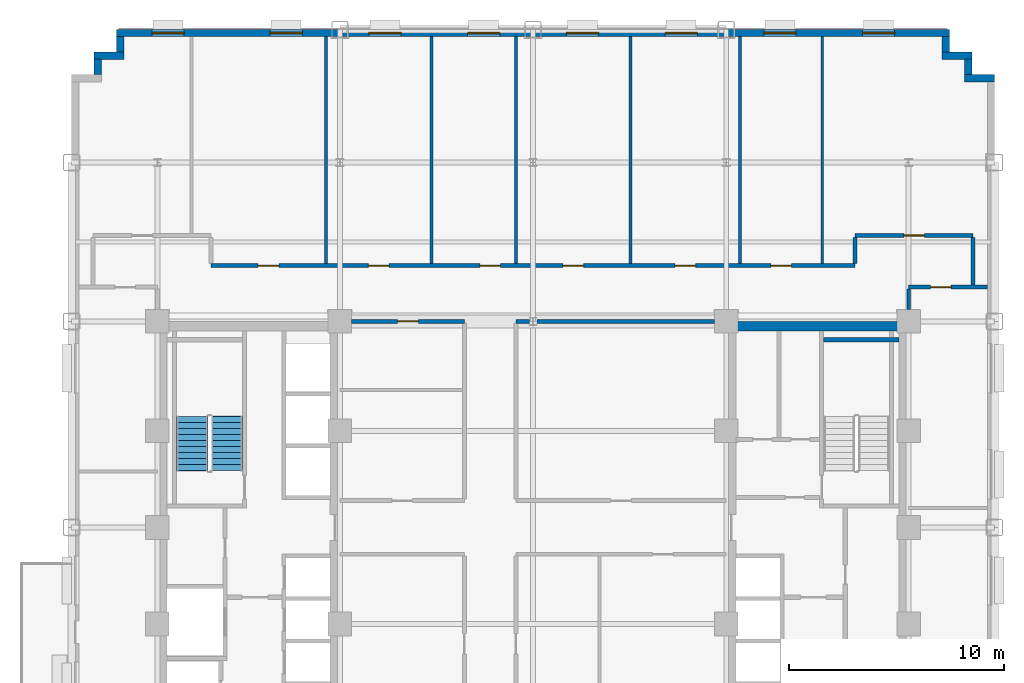
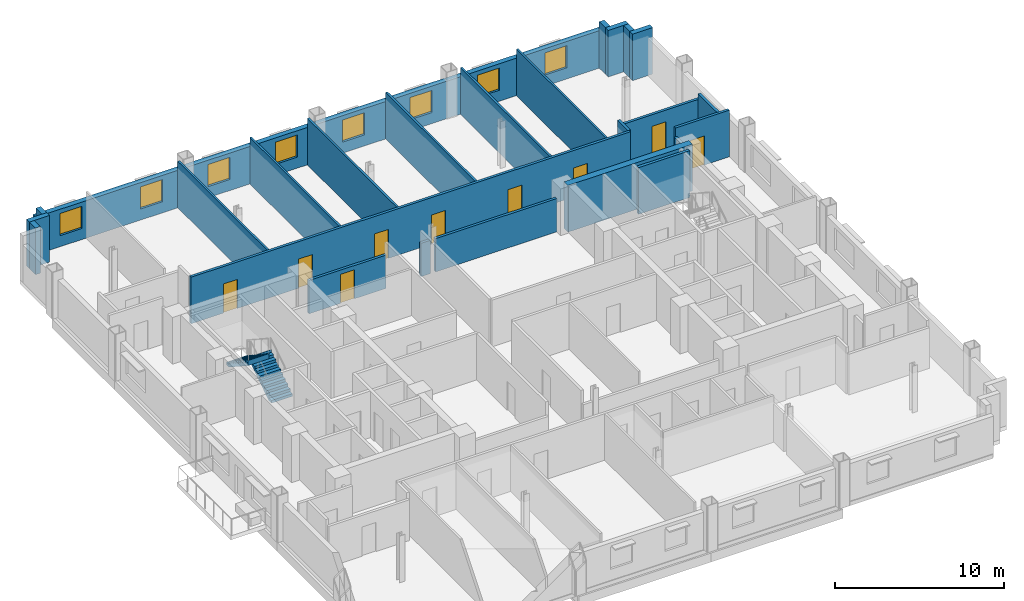
# One storey, part 9 of 14: 25 walls, 9 doors, 8 windows, 2 stair flights, 17 openings, 1 element without a shape of its own.
"""IFC4 building model written with IfcOpenShell, lengths in metres."""

from ifc_helpers import new_model, si_unit, direction, frame, frame_2d, origin, place, context, subcontext, project, spatial, polyline, rectangle, outline, extrude, source, transform, mapped, material, layer, layer_set, type_object, type_shapes, element, fill, aggregate, save


model = new_model("IFC4")

# Units and contexts
model_context = context("Model", 3, precision=1e-05, world=origin(), true_north=direction((0.0, 1.0)))
body_context = subcontext(model_context, "Body", "Model", "MODEL_VIEW")
ifc_project = project(units=[si_unit("LENGTHUNIT", "METRE"), si_unit("AREAUNIT", "SQUARE_METRE"), si_unit("VOLUMEUNIT", "CUBIC_METRE"), si_unit("PLANEANGLEUNIT", "RADIAN"), si_unit("MASSUNIT", "GRAM", prefix="KILO")], contexts=[model_context])

# Site, building, storey
site_placement = place(None, origin())
site = spatial("IfcSite", under=ifc_project, at=site_placement, CompositionType="ELEMENT")
building_placement = place(site_placement, origin())
building = spatial("IfcBuilding", under=site, at=building_placement, Name="Nuvemarco Arch Tower", CompositionType="ELEMENT")
storey_placement = place(building_placement, frame((0.0, 0.0, 67.75)))
storey = spatial("IfcBuildingStorey", under=building, at=storey_placement, Name="L17", CompositionType="ELEMENT", Elevation=67.75)

# Walls
ifc_material_1 = material(Name="Precast concrete C45/55", Category="concrete")
ifc_layer_1 = layer(ifc_material_1, 0.340087890625, Name="EW-LOW-340")
ifc_layer_set_1 = layer_set([ifc_layer_1], Name="Precast concrete C45/55")
wall_type_1 = type_object("IfcWallType", Name="EW-LOW-340", PredefinedType="STANDARD", material=ifc_layer_set_1)
wall_1_placement = place(storey_placement, frame((20.110107421875, 20.929931640625, 0.0), z_axis=(0.0, 0.0, 1.0), x_axis=(1.0, 0.0, 0.0)))
element("IfcWall", 1, at=wall_1_placement, inside=storey, type_object=wall_type_1, Name="L17 exterior precast facade wall 7", PredefinedType="STANDARD", context=body_context, shape_type="SweptSolid", body=[
    extrude(rectangle(XDim=1.389892578125, YDim=0.340087890625, at=frame_2d((0.69482421875, 0.0))), origin(), (0.0, 0.0, 1.0), 3.360107421875),
])
wall_2_placement = place(storey_placement, frame((20.280029296875, 21.095947265625, 0.0), z_axis=(0.0, 0.0, 1.0), x_axis=(0.0, 1.0, 0.0)))
element("IfcWall", 2, at=wall_2_placement, inside=storey, type_object=wall_type_1, Name="L17 exterior precast facade wall 8", PredefinedType="STANDARD", context=body_context, shape_type="SweptSolid", body=[
    extrude(rectangle(XDim=0.718017578125, YDim=0.340087890625, at=frame_2d((0.35888671875, 0.0))), origin(), (0.0, 0.0, 1.0), 3.360107421875),
])
wall_3_placement = place(storey_placement, frame((19.06005859375, 21.97998046875, 0.0), z_axis=(0.0, 0.0, 1.0), x_axis=(1.0, 0.0, 0.0)))
element("IfcWall", 3, at=wall_3_placement, inside=storey, type_object=wall_type_1, Name="L17 exterior precast facade wall 9", PredefinedType="STANDARD", context=body_context, shape_type="SweptSolid", body=[
    extrude(rectangle(XDim=1.389892578125, YDim=0.340087890625, at=frame_2d((0.69482421875, 0.0))), origin(), (0.0, 0.0, 1.0), 3.360107421875),
])
wall_4_placement = place(storey_placement, frame((19.22998046875, 22.14599609375, 0.0), z_axis=(0.0, 0.0, 1.0), x_axis=(0.0, 1.0, 0.0)))
element("IfcWall", 4, at=wall_4_placement, inside=storey, type_object=wall_type_1, Name="L17 exterior precast facade wall 10", PredefinedType="STANDARD", context=body_context, shape_type="SweptSolid", body=[
    extrude(rectangle(XDim=0.718017578125, YDim=0.340087890625, at=frame_2d((0.35888671875, 0.0))), origin(), (0.0, 0.0, 1.0), 3.360107421875),
])

# Wall, openings, windows
wall_5_placement = place(storey_placement, frame((-19.39990234375, 23.030029296875, 0.0), z_axis=(0.0, 0.0, 1.0), x_axis=(1.0, 0.0, 0.0)))
wall_5 = element("IfcWall", 5, at=wall_5_placement, inside=storey, type_object=wall_type_1, Name="L17 exterior precast facade wall 11", PredefinedType="STANDARD", context=body_context, shape_type="SweptSolid", body=[
    extrude(rectangle(XDim=38.7998046875, YDim=0.340087890625, at=frame_2d((19.39990234375, 0.0))), origin(), (0.0, 0.0, 1.0), 2.705078125),
])
opening_1_placement = place(wall_5_placement, frame((1.64990234375, 0.0, 0.800048828125)))
opening_1 = element("IfcOpeningElement", 6, at=opening_1_placement, cuts=wall_5, Name="Opening WN-11", PredefinedType="OPENING", context=body_context, shape_type="SweptSolid", body=[
    extrude(rectangle(XDim=1.5, YDim=1.60009765625, at=frame_2d((0.75, 0.800048828125))), frame((0.0, 0.179931640625, 0.0), z_axis=(0.0, -1.0, 0.0), x_axis=(1.0, 0.0, 0.0)), (0.0, 0.0, 1.0), 0.360107421875),
])
opening_2_placement = place(wall_5_placement, frame((7.14990234375, 0.0, 0.800048828125)))
opening_2 = element("IfcOpeningElement", 7, at=opening_2_placement, cuts=wall_5, Name="Opening WN-11", PredefinedType="OPENING", context=body_context, shape_type="SweptSolid", body=[
    extrude(rectangle(XDim=1.5, YDim=1.60009765625, at=frame_2d((0.75, 0.800048828125))), frame((0.0, 0.179931640625, 0.0), z_axis=(0.0, -1.0, 0.0), x_axis=(1.0, 0.0, 0.0)), (0.0, 0.0, 1.0), 0.360107421875),
])
opening_3_placement = place(wall_5_placement, frame((11.75, 0.0, 0.800048828125)))
opening_3 = element("IfcOpeningElement", 8, at=opening_3_placement, cuts=wall_5, Name="Opening WN-11", PredefinedType="OPENING", context=body_context, shape_type="SweptSolid", body=[
    extrude(rectangle(XDim=1.5, YDim=1.60009765625, at=frame_2d((0.75, 0.800048828125))), frame((0.0, 0.179931640625, 0.0), z_axis=(0.0, -1.0, 0.0), x_axis=(1.0, 0.0, 0.0)), (0.0, 0.0, 1.0), 0.360107421875),
])
opening_4_placement = place(wall_5_placement, frame((16.35009765625, 0.0, 0.800048828125)))
opening_4 = element("IfcOpeningElement", 9, at=opening_4_placement, cuts=wall_5, Name="Opening WN-11", PredefinedType="OPENING", context=body_context, shape_type="SweptSolid", body=[
    extrude(rectangle(XDim=1.5, YDim=1.60009765625, at=frame_2d((0.75, 0.800048828125))), frame((0.0, 0.179931640625, 0.0), z_axis=(0.0, -1.0, 0.0), x_axis=(1.0, 0.0, 0.0)), (0.0, 0.0, 1.0), 0.360107421875),
])
opening_5_placement = place(wall_5_placement, frame((20.949951171875, 0.0, 0.800048828125)))
opening_5 = element("IfcOpeningElement", 10, at=opening_5_placement, cuts=wall_5, Name="Opening WN-11", PredefinedType="OPENING", context=body_context, shape_type="SweptSolid", body=[
    extrude(rectangle(XDim=1.5, YDim=1.60009765625, at=frame_2d((0.75, 0.800048828125))), frame((0.0, 0.179931640625, 0.0), z_axis=(0.0, -1.0, 0.0), x_axis=(1.0, 0.0, 0.0)), (0.0, 0.0, 1.0), 0.360107421875),
])
opening_6_placement = place(wall_5_placement, frame((25.550048828125, 0.0, 0.800048828125)))
opening_6 = element("IfcOpeningElement", 11, at=opening_6_placement, cuts=wall_5, Name="Opening WN-11", PredefinedType="OPENING", context=body_context, shape_type="SweptSolid", body=[
    extrude(rectangle(XDim=1.5, YDim=1.60009765625, at=frame_2d((0.75, 0.800048828125))), frame((0.0, 0.179931640625, 0.0), z_axis=(0.0, -1.0, 0.0), x_axis=(1.0, 0.0, 0.0)), (0.0, 0.0, 1.0), 0.360107421875),
])
opening_7_placement = place(wall_5_placement, frame((30.14990234375, 0.0, 0.800048828125)))
opening_7 = element("IfcOpeningElement", 12, at=opening_7_placement, cuts=wall_5, Name="Opening WN-11", PredefinedType="OPENING", context=body_context, shape_type="SweptSolid", body=[
    extrude(rectangle(XDim=1.5, YDim=1.60009765625, at=frame_2d((0.75, 0.800048828125))), frame((0.0, 0.179931640625, 0.0), z_axis=(0.0, -1.0, 0.0), x_axis=(1.0, 0.0, 0.0)), (0.0, 0.0, 1.0), 0.360107421875),
])
opening_8_placement = place(wall_5_placement, frame((34.75, 0.0, 0.800048828125)))
opening_8 = element("IfcOpeningElement", 13, at=opening_8_placement, cuts=wall_5, Name="Opening WN-11", PredefinedType="OPENING", context=body_context, shape_type="SweptSolid", body=[
    extrude(rectangle(XDim=1.5, YDim=1.60009765625, at=frame_2d((0.75, 0.800048828125))), frame((0.0, 0.179931640625, 0.0), z_axis=(0.0, -1.0, 0.0), x_axis=(1.0, 0.0, 0.0)), (0.0, 0.0, 1.0), 0.360107421875),
])
ifc_material_2 = material(Name="Insulated solar-control glass", Category="glass")
window_type = type_object("IfcWindowType", Name="WN-STEP-1500x1850", PartitioningType="SINGLE_PANEL", PredefinedType="WINDOW", material=ifc_material_2)
shared_shape_1 = source(origin(), body_context, "Body", "SweptSolid", [
    extrude(rectangle(XDim=1.5, YDim=1.60009765625, at=frame_2d((0.75, 0.800048828125))), frame((0.0, 0.030029296875, 0.0), z_axis=(0.0, -1.0, 0.0), x_axis=(1.0, 0.0, 0.0)), (0.0, 0.0, 1.0), 0.06005859375),
])
type_shapes(window_type, [shared_shape_1])
window_1_placement = place(opening_1_placement, origin())
window_1 = element("IfcWindow", 14, at=window_1_placement, inside=storey, type_object=window_type, Name="L17 punched facade window 1", OverallHeight=1.60009765625, OverallWidth=1.5, PartitioningType="SINGLE_PANEL", PredefinedType="WINDOW", context=body_context, shape_type="MappedRepresentation", body=[
    mapped(shared_shape_1, transform((0.0, 0.0, 0.0), scale=1.0)),
])
fill(opening_1, window_1)
window_2_placement = place(opening_2_placement, origin())
window_2 = element("IfcWindow", 15, at=window_2_placement, inside=storey, type_object=window_type, Name="L17 punched facade window 2", OverallHeight=1.60009765625, OverallWidth=1.5, PartitioningType="SINGLE_PANEL", PredefinedType="WINDOW", context=body_context, shape_type="MappedRepresentation", body=[
    mapped(shared_shape_1, transform((0.0, 0.0, 0.0), scale=1.0)),
])
fill(opening_2, window_2)
window_3_placement = place(opening_3_placement, origin())
window_3 = element("IfcWindow", 16, at=window_3_placement, inside=storey, type_object=window_type, Name="L17 punched facade window 3", OverallHeight=1.60009765625, OverallWidth=1.5, PartitioningType="SINGLE_PANEL", PredefinedType="WINDOW", context=body_context, shape_type="MappedRepresentation", body=[
    mapped(shared_shape_1, transform((0.0, 0.0, 0.0), scale=1.0)),
])
fill(opening_3, window_3)
window_4_placement = place(opening_4_placement, origin())
window_4 = element("IfcWindow", 17, at=window_4_placement, inside=storey, type_object=window_type, Name="L17 punched facade window 4", OverallHeight=1.60009765625, OverallWidth=1.5, PartitioningType="SINGLE_PANEL", PredefinedType="WINDOW", context=body_context, shape_type="MappedRepresentation", body=[
    mapped(shared_shape_1, transform((0.0, 0.0, 0.0), scale=1.0)),
])
fill(opening_4, window_4)
window_5_placement = place(opening_5_placement, origin())
window_5 = element("IfcWindow", 18, at=window_5_placement, inside=storey, type_object=window_type, Name="L17 punched facade window 5", OverallHeight=1.60009765625, OverallWidth=1.5, PartitioningType="SINGLE_PANEL", PredefinedType="WINDOW", context=body_context, shape_type="MappedRepresentation", body=[
    mapped(shared_shape_1, transform((0.0, 0.0, 0.0), scale=1.0)),
])
fill(opening_5, window_5)
window_6_placement = place(opening_6_placement, origin())
window_6 = element("IfcWindow", 19, at=window_6_placement, inside=storey, type_object=window_type, Name="L17 punched facade window 6", OverallHeight=1.60009765625, OverallWidth=1.5, PartitioningType="SINGLE_PANEL", PredefinedType="WINDOW", context=body_context, shape_type="MappedRepresentation", body=[
    mapped(shared_shape_1, transform((0.0, 0.0, 0.0), scale=1.0)),
])
fill(opening_6, window_6)
window_7_placement = place(opening_7_placement, origin())
window_7 = element("IfcWindow", 20, at=window_7_placement, inside=storey, type_object=window_type, Name="L17 punched facade window 7", OverallHeight=1.60009765625, OverallWidth=1.5, PartitioningType="SINGLE_PANEL", PredefinedType="WINDOW", context=body_context, shape_type="MappedRepresentation", body=[
    mapped(shared_shape_1, transform((0.0, 0.0, 0.0), scale=1.0)),
])
fill(opening_7, window_7)
window_8_placement = place(opening_8_placement, origin())
window_8 = element("IfcWindow", 21, at=window_8_placement, inside=storey, type_object=window_type, Name="L17 punched facade window 8", OverallHeight=1.60009765625, OverallWidth=1.5, PartitioningType="SINGLE_PANEL", PredefinedType="WINDOW", context=body_context, shape_type="MappedRepresentation", body=[
    mapped(shared_shape_1, transform((0.0, 0.0, 0.0), scale=1.0)),
])
fill(opening_8, window_8)

# Walls
wall_6_placement = place(storey_placement, frame((-19.22998046875, 22.14599609375, 0.0), z_axis=(0.0, 0.0, 1.0), x_axis=(0.0, 1.0, 0.0)))
element("IfcWall", 22, at=wall_6_placement, inside=storey, type_object=wall_type_1, Name="L17 exterior precast facade wall 12", PredefinedType="STANDARD", context=body_context, shape_type="SweptSolid", body=[
    extrude(rectangle(XDim=0.718017578125, YDim=0.340087890625, at=frame_2d((0.35888671875, 0.0))), origin(), (0.0, 0.0, 1.0), 3.360107421875),
])
wall_7_placement = place(storey_placement, frame((-20.449951171875, 21.97998046875, 0.0), z_axis=(0.0, 0.0, 1.0), x_axis=(1.0, 0.0, 0.0)))
element("IfcWall", 23, at=wall_7_placement, inside=storey, type_object=wall_type_1, Name="L17 exterior precast facade wall 13", PredefinedType="STANDARD", context=body_context, shape_type="SweptSolid", body=[
    extrude(rectangle(XDim=1.389892578125, YDim=0.340087890625, at=frame_2d((0.69482421875, 0.0))), origin(), (0.0, 0.0, 1.0), 3.360107421875),
])
wall_8_placement = place(storey_placement, frame((-20.280029296875, 21.095947265625, 0.0), z_axis=(0.0, 0.0, 1.0), x_axis=(0.0, 1.0, 0.0)))
element("IfcWall", 24, at=wall_8_placement, inside=storey, type_object=wall_type_1, Name="L17 exterior precast facade wall 14", PredefinedType="STANDARD", context=body_context, shape_type="SweptSolid", body=[
    extrude(rectangle(XDim=0.718017578125, YDim=0.340087890625, at=frame_2d((0.35888671875, 0.0))), origin(), (0.0, 0.0, 1.0), 3.360107421875),
])
ifc_material_3 = material(Name="Concrete C60/75", Category="concrete")
ifc_layer_2 = layer(ifc_material_3, 0.449951171875, Name="WL-CORE-450")
ifc_layer_set_2 = layer_set([ifc_layer_2], Name="Concrete C60/75")
wall_type_2 = type_object("IfcWallType", Name="WL-CORE-450", PredefinedType="SHEAR", material=ifc_layer_set_2)
wall_9_placement = place(storey_placement, frame((9.0, 9.375, 0.0), z_axis=(0.0, 0.0, 1.0), x_axis=(1.0, 0.0, 0.0)))
element("IfcWall", 25, at=wall_9_placement, inside=storey, type_object=wall_type_2, Name="L17 E-core shear wall N", PredefinedType="SHEAR", context=body_context, shape_type="SweptSolid", body=[
    extrude(rectangle(XDim=8.5, YDim=0.449951171875, at=frame_2d((4.25, 0.0))), origin(), (0.0, 0.0, 1.0), 3.3701171875),
])

# Wall, opening, door
ifc_material_4 = material(Name="Fire-rated gypsum drywall partition")
ifc_layer_3 = layer(ifc_material_4, 0.179931640625, Name="WL-CORR-180")
ifc_layer_set_3 = layer_set([ifc_layer_3], Name="Fire-rated gypsum drywall partition")
wall_type_3 = type_object("IfcWallType", Name="WL-CORR-180", PredefinedType="PARTITIONING", material=ifc_layer_set_3)
wall_10_placement = place(storey_placement, frame((-8.4541015625, 9.60009765625, 0.0), z_axis=(0.0, 0.0, 1.0), x_axis=(1.0, 0.0, 0.0)))
wall_10 = element("IfcWall", 26, at=wall_10_placement, inside=storey, type_object=wall_type_3, Name="L17 interior wall IW-L17-018", PredefinedType="PARTITIONING", context=body_context, shape_type="SweptSolid", body=[
    extrude(rectangle(XDim=5.254150390625, YDim=0.179931640625, at=frame_2d((2.626953125, 0.0))), origin(), (0.0, 0.0, 1.0), 2.405029296875),
])
opening_9_placement = place(wall_10_placement, frame((2.14697265625, 0.0, 0.0)))
opening_9 = element("IfcOpeningElement", 27, at=opening_9_placement, cuts=wall_10, Name="Opening FD-5", PredefinedType="OPENING", context=body_context, shape_type="SweptSolid", body=[
    extrude(rectangle(XDim=0.9599609375, YDim=2.10009765625, at=frame_2d((0.47998046875, 1.050048828125))), frame((0.0, 0.099853515625, 0.0), z_axis=(0.0, -1.0, 0.0), x_axis=(1.0, 0.0, 0.0)), (0.0, 0.0, 1.0), 0.199951171875),
])
ifc_material_5 = material(Name="Timber fire door", Category="wood")
door_type = type_object("IfcDoorType", Name="DR-CORR-FD", OperationType="NOTDEFINED", PredefinedType="DOOR", material=ifc_material_5)
shared_shape_2 = source(origin(), body_context, "Body", "SweptSolid", [
    extrude(rectangle(XDim=0.9599609375, YDim=2.10009765625, at=frame_2d((0.47998046875, 1.050048828125))), frame((0.0, 0.02490234375, 0.0), z_axis=(0.0, -1.0, 0.0), x_axis=(1.0, 0.0, 0.0)), (0.0, 0.0, 1.0), 0.050048828125),
])
type_shapes(door_type, [shared_shape_2])
door_1_placement = place(opening_9_placement, origin())
door_1 = element("IfcDoor", 28, at=door_1_placement, inside=storey, type_object=door_type, Name="L17 door DR-L17-C_NW2", OperationType="SINGLE_SWING_RIGHT", OverallHeight=2.10009765625, OverallWidth=0.9599609375, PredefinedType="DOOR", context=body_context, shape_type="MappedRepresentation", body=[
    mapped(shared_shape_2, transform((0.0, 0.0, 0.0), scale=1.0)),
])
fill(opening_9, door_1)

# Walls
wall_11_placement = place(storey_placement, frame((-0.800048828125, 9.60009765625, 0.0), z_axis=(0.0, 0.0, 1.0), x_axis=(1.0, 0.0, 0.0)))
element("IfcWall", 29, at=wall_11_placement, inside=storey, type_object=wall_type_3, Name="L17 interior wall IW-L17-019", PredefinedType="PARTITIONING", context=body_context, shape_type="SweptSolid", body=[
    extrude(rectangle(XDim=0.6240234375, YDim=0.179931640625, at=frame_2d((0.31201171875, 0.0))), origin(), (0.0, 0.0, 1.0), 2.405029296875),
])
wall_12_placement = place(storey_placement, frame((0.176025390625, 9.60009765625, 0.0), z_axis=(0.0, 0.0, 1.0), x_axis=(1.0, 0.0, 0.0)))
element("IfcWall", 30, at=wall_12_placement, inside=storey, type_object=wall_type_3, Name="L17 interior wall IW-L17-020", PredefinedType="PARTITIONING", context=body_context, shape_type="SweptSolid", body=[
    extrude(rectangle(XDim=8.278076171875, YDim=0.179931640625, at=frame_2d((4.13916015625, 0.0))), origin(), (0.0, 0.0, 1.0), 2.405029296875),
])

# Wall, opening, door
wall_13_placement = place(storey_placement, frame((17.5, 11.199951171875, 0.0), z_axis=(0.0, 0.0, 1.0), x_axis=(1.0, 0.0, 0.0)))
wall_13 = element("IfcWall", 31, at=wall_13_placement, inside=storey, type_object=wall_type_3, Name="L17 interior wall IW-L17-022", PredefinedType="PARTITIONING", context=body_context, shape_type="SweptSolid", body=[
    extrude(rectangle(XDim=3.659912109375, YDim=0.179931640625, at=frame_2d((1.830078125, 0.0))), origin(), (0.0, 0.0, 1.0), 3.360107421875),
])
opening_10_placement = place(wall_13_placement, frame((1.02001953125, 0.0, 0.0)))
opening_10 = element("IfcOpeningElement", 32, at=opening_10_placement, cuts=wall_13, Name="Opening FD-5", PredefinedType="OPENING", context=body_context, shape_type="SweptSolid", body=[
    extrude(rectangle(XDim=0.9599609375, YDim=2.10009765625, at=frame_2d((0.47998046875, 1.050048828125))), frame((0.0, 0.099853515625, 0.0), z_axis=(0.0, -1.0, 0.0), x_axis=(1.0, 0.0, 0.0)), (0.0, 0.0, 1.0), 0.199951171875),
])
door_2_placement = place(opening_10_placement, origin())
door_2 = element("IfcDoor", 33, at=door_2_placement, inside=storey, type_object=door_type, Name="L17 door DR-L17-E_2", OperationType="SINGLE_SWING_LEFT", OverallHeight=2.10009765625, OverallWidth=0.9599609375, PredefinedType="DOOR", context=body_context, shape_type="MappedRepresentation", body=[
    mapped(shared_shape_2, transform((0.0, 0.0, 0.0), scale=1.0)),
])
fill(opening_10, door_2)

# Wall, openings, doors
wall_14_placement = place(storey_placement, frame((-15.0, 12.199951171875, 0.0), z_axis=(0.0, 0.0, 1.0), x_axis=(1.0, 0.0, 0.0)))
wall_14 = element("IfcWall", 34, at=wall_14_placement, inside=storey, type_object=wall_type_3, Name="L17 interior wall IW-L17-023", PredefinedType="PARTITIONING", context=body_context, shape_type="SweptSolid", body=[
    extrude(rectangle(XDim=30.0, YDim=0.179931640625, at=frame_2d((15.0, 0.0))), origin(), (0.0, 0.0, 1.0), 3.360107421875),
])
opening_11_placement = place(wall_14_placement, frame((2.195068359375, 0.0, 0.0)))
opening_11 = element("IfcOpeningElement", 35, at=opening_11_placement, cuts=wall_14, Name="Opening FD-5", PredefinedType="OPENING", context=body_context, shape_type="SweptSolid", body=[
    extrude(rectangle(XDim=0.9599609375, YDim=2.10009765625, at=frame_2d((0.47998046875, 1.050048828125))), frame((0.0, 0.099853515625, 0.0), z_axis=(0.0, -1.0, 0.0), x_axis=(1.0, 0.0, 0.0)), (0.0, 0.0, 1.0), 0.199951171875),
])
opening_12_placement = place(wall_14_placement, frame((16.39501953125, 0.0, 0.0)))
opening_12 = element("IfcOpeningElement", 36, at=opening_12_placement, cuts=wall_14, Name="Opening FD-5", PredefinedType="OPENING", context=body_context, shape_type="SweptSolid", body=[
    extrude(rectangle(XDim=0.9599609375, YDim=2.10009765625, at=frame_2d((0.47998046875, 1.050048828125))), frame((0.0, 0.099853515625, 0.0), z_axis=(0.0, -1.0, 0.0), x_axis=(1.0, 0.0, 0.0)), (0.0, 0.0, 1.0), 0.199951171875),
])
opening_13_placement = place(wall_14_placement, frame((21.6201171875, 0.0, 0.0)))
opening_13 = element("IfcOpeningElement", 37, at=opening_13_placement, cuts=wall_14, Name="Opening FD-5", PredefinedType="OPENING", context=body_context, shape_type="SweptSolid", body=[
    extrude(rectangle(XDim=0.9599609375, YDim=2.10009765625, at=frame_2d((0.47998046875, 1.050048828125))), frame((0.0, 0.099853515625, 0.0), z_axis=(0.0, -1.0, 0.0), x_axis=(1.0, 0.0, 0.0)), (0.0, 0.0, 1.0), 0.199951171875),
])
opening_14_placement = place(wall_14_placement, frame((7.330078125, 0.0, 0.0)))
opening_14 = element("IfcOpeningElement", 38, at=opening_14_placement, cuts=wall_14, Name="Opening FD-5", PredefinedType="OPENING", context=body_context, shape_type="SweptSolid", body=[
    extrude(rectangle(XDim=0.9599609375, YDim=2.10009765625, at=frame_2d((0.47998046875, 1.050048828125))), frame((0.0, 0.099853515625, 0.0), z_axis=(0.0, -1.0, 0.0), x_axis=(1.0, 0.0, 0.0)), (0.0, 0.0, 1.0), 0.199951171875),
])
opening_15_placement = place(wall_14_placement, frame((26.080078125, 0.0, 0.0)))
opening_15 = element("IfcOpeningElement", 39, at=opening_15_placement, cuts=wall_14, Name="Opening FD-5", PredefinedType="OPENING", context=body_context, shape_type="SweptSolid", body=[
    extrude(rectangle(XDim=0.9599609375, YDim=2.10009765625, at=frame_2d((0.47998046875, 1.050048828125))), frame((0.0, 0.099853515625, 0.0), z_axis=(0.0, -1.0, 0.0), x_axis=(1.0, 0.0, 0.0)), (0.0, 0.0, 1.0), 0.199951171875),
])
opening_16_placement = place(wall_14_placement, frame((12.52001953125, 0.0, 0.0)))
opening_16 = element("IfcOpeningElement", 40, at=opening_16_placement, cuts=wall_14, Name="Opening FD-5", PredefinedType="OPENING", context=body_context, shape_type="SweptSolid", body=[
    extrude(rectangle(XDim=0.9599609375, YDim=2.10009765625, at=frame_2d((0.47998046875, 1.050048828125))), frame((0.0, 0.099853515625, 0.0), z_axis=(0.0, -1.0, 0.0), x_axis=(1.0, 0.0, 0.0)), (0.0, 0.0, 1.0), 0.199951171875),
])
door_3_placement = place(opening_11_placement, origin())
door_3 = element("IfcDoor", 41, at=door_3_placement, inside=storey, type_object=door_type, Name="L17 door DR-L17-N_2", OperationType="SINGLE_SWING_RIGHT", OverallHeight=2.10009765625, OverallWidth=0.9599609375, PredefinedType="DOOR", context=body_context, shape_type="MappedRepresentation", body=[
    mapped(shared_shape_2, transform((0.0, 0.0, 0.0), scale=1.0)),
])
fill(opening_11, door_3)
door_4_placement = place(opening_12_placement, origin())
door_4 = element("IfcDoor", 42, at=door_4_placement, inside=storey, type_object=door_type, Name="L17 door DR-L17-N_5", OperationType="SINGLE_SWING_LEFT", OverallHeight=2.10009765625, OverallWidth=0.9599609375, PredefinedType="DOOR", context=body_context, shape_type="MappedRepresentation", body=[
    mapped(shared_shape_2, transform((0.0, 0.0, 0.0), scale=1.0)),
])
fill(opening_12, door_4)
door_5_placement = place(opening_13_placement, origin())
door_5 = element("IfcDoor", 43, at=door_5_placement, inside=storey, type_object=door_type, Name="L17 door DR-L17-N_6", OperationType="SINGLE_SWING_LEFT", OverallHeight=2.10009765625, OverallWidth=0.9599609375, PredefinedType="DOOR", context=body_context, shape_type="MappedRepresentation", body=[
    mapped(shared_shape_2, transform((0.0, 0.0, 0.0), scale=1.0)),
])
fill(opening_13, door_5)
door_6_placement = place(opening_14_placement, origin())
door_6 = element("IfcDoor", 44, at=door_6_placement, inside=storey, type_object=door_type, Name="L17 door DR-L17-N_3", OperationType="SINGLE_SWING_RIGHT", OverallHeight=2.10009765625, OverallWidth=0.9599609375, PredefinedType="DOOR", context=body_context, shape_type="MappedRepresentation", body=[
    mapped(shared_shape_2, transform((0.0, 0.0, 0.0), scale=1.0)),
])
fill(opening_14, door_6)
door_7_placement = place(opening_15_placement, origin())
door_7 = element("IfcDoor", 45, at=door_7_placement, inside=storey, type_object=door_type, Name="L17 door DR-L17-N_7", OperationType="SINGLE_SWING_LEFT", OverallHeight=2.10009765625, OverallWidth=0.9599609375, PredefinedType="DOOR", context=body_context, shape_type="MappedRepresentation", body=[
    mapped(shared_shape_2, transform((0.0, 0.0, 0.0), scale=1.0)),
])
fill(opening_15, door_7)
door_8_placement = place(opening_16_placement, origin())
door_8 = element("IfcDoor", 46, at=door_8_placement, inside=storey, type_object=door_type, Name="L17 door DR-L17-N_4", OperationType="SINGLE_SWING_LEFT", OverallHeight=2.10009765625, OverallWidth=0.9599609375, PredefinedType="DOOR", context=body_context, shape_type="MappedRepresentation", body=[
    mapped(shared_shape_2, transform((0.0, 0.0, 0.0), scale=1.0)),
])
fill(opening_16, door_8)

# Wall, opening, door
wall_15_placement = place(storey_placement, frame((15.0, 13.60009765625, 0.0), z_axis=(0.0, 0.0, 1.0), x_axis=(1.0, 0.0, 0.0)))
wall_15 = element("IfcWall", 47, at=wall_15_placement, inside=storey, type_object=wall_type_3, Name="L17 interior wall IW-L17-025", PredefinedType="PARTITIONING", context=body_context, shape_type="SweptSolid", body=[
    extrude(rectangle(XDim=5.5, YDim=0.179931640625, at=frame_2d((2.75, 0.0))), origin(), (0.0, 0.0, 1.0), 2.94189453125),
])
opening_17_placement = place(wall_15_placement, frame((2.27001953125, 0.0, 0.0)))
opening_17 = element("IfcOpeningElement", 48, at=opening_17_placement, cuts=wall_15, Name="Opening FD-5", PredefinedType="OPENING", context=body_context, shape_type="SweptSolid", body=[
    extrude(rectangle(XDim=0.9599609375, YDim=2.10009765625, at=frame_2d((0.47998046875, 1.050048828125))), frame((0.0, 0.099853515625, 0.0), z_axis=(0.0, -1.0, 0.0), x_axis=(1.0, 0.0, 0.0)), (0.0, 0.0, 1.0), 0.199951171875),
])
door_9_placement = place(opening_17_placement, origin())
door_9 = element("IfcDoor", 49, at=door_9_placement, inside=storey, type_object=door_type, Name="L17 door DR-L17-N_8", OperationType="SINGLE_SWING_RIGHT", OverallHeight=2.10009765625, OverallWidth=0.9599609375, PredefinedType="DOOR", context=body_context, shape_type="MappedRepresentation", body=[
    mapped(shared_shape_2, transform((0.0, 0.0, 0.0), scale=1.0)),
])
fill(opening_17, door_9)

# Walls
wall_16_placement = place(storey_placement, frame((15.0, 12.285888671875, 0.0), z_axis=(0.0, 0.0, 1.0), x_axis=(0.0, 1.0, 0.0)))
element("IfcWall", 50, at=wall_16_placement, inside=storey, type_object=wall_type_3, Name="L17 interior wall IW-L17-054", PredefinedType="PARTITIONING", context=body_context, shape_type="SweptSolid", body=[
    extrude(rectangle(XDim=1.22802734375, YDim=0.179931640625, at=frame_2d((0.614013671875, 0.0))), origin(), (0.0, 0.0, 1.0), 3.360107421875),
])
wall_17_placement = place(storey_placement, frame((17.5, 10.14599609375, 0.0), z_axis=(0.0, 0.0, 1.0), x_axis=(0.0, 1.0, 0.0)))
element("IfcWall", 51, at=wall_17_placement, inside=storey, type_object=wall_type_3, Name="L17 interior wall IW-L17-056", PredefinedType="PARTITIONING", context=body_context, shape_type="SweptSolid", body=[
    extrude(rectangle(XDim=0.968017578125, YDim=0.179931640625, at=frame_2d((0.48388671875, 0.0))), origin(), (0.0, 0.0, 1.0), 2.738037109375),
])
wall_18_placement = place(storey_placement, frame((20.5, 11.285888671875, 0.0), z_axis=(0.0, 0.0, 1.0), x_axis=(0.0, 1.0, 0.0)))
element("IfcWall", 52, at=wall_18_placement, inside=storey, type_object=wall_type_3, Name="L17 interior wall IW-L17-058", PredefinedType="PARTITIONING", context=body_context, shape_type="SweptSolid", body=[
    extrude(rectangle(XDim=2.22802734375, YDim=0.179931640625, at=frame_2d((1.114013671875, 0.0))), origin(), (0.0, 0.0, 1.0), 3.360107421875),
])
ifc_material_6 = material(Name="Glazed acoustic office partition")
ifc_layer_4 = layer(ifc_material_6, 0.1298828125, Name="WL-EXEC-130")
ifc_layer_set_4 = layer_set([ifc_layer_4], Name="Glazed acoustic office partition")
wall_type_4 = type_object("IfcWallType", Name="WL-EXEC-130", PredefinedType="PARTITIONING", material=ifc_layer_set_4)
for number, where, z_axis, x_axis, name in (
    (53, (-9.64990234375, 12.285888671875, 0.0), (0.0, 0.0, 1.0), (0.0, 1.0, 0.0), "L17 interior wall IW-L17-035"),
    (54, (-4.72998046875, 12.285888671875, 0.0), (0.0, 0.0, 1.0), (0.0, 1.0, 0.0), "L17 interior wall IW-L17-037"),
    (55, (13.469970703125, 12.285888671875, 0.0), (0.0, 0.0, 1.0), (0.0, 1.0, 0.0), "L17 interior wall IW-L17-052"),
):
    element("IfcWall", number, at=place(storey_placement, frame(where, z_axis=z_axis, x_axis=x_axis)), inside=storey, type_object=wall_type_4, Name=name, PredefinedType="PARTITIONING", context=body_context, shape_type="SweptSolid", body=[
        extrude(rectangle(XDim=10.57421875, YDim=0.1298828125, at=frame_2d((5.287109375, 0.0))), origin(), (0.0, 0.0, 1.0), 3.360107421875),
    ])
ifc_material_7 = material(Name="Gypsum plasterboard partition")
ifc_layer_5 = layer(ifc_material_7, 0.139892578125, Name="WL-ROOM-140")
ifc_layer_set_5 = layer_set([ifc_layer_5], Name="Gypsum plasterboard partition")
wall_type_5 = type_object("IfcWallType", Name="WL-ROOM-140", PredefinedType="PARTITIONING", material=ifc_layer_set_5)
for number, where, z_axis, x_axis, name in (
    (56, (-0.800048828125, 12.285888671875, 0.0), (0.0, 0.0, 1.0), (0.0, 1.0, 0.0), "L17 interior wall IW-L17-043"),
    (57, (4.550048828125, 12.285888671875, 0.0), (0.0, 0.0, 1.0), (0.0, 1.0, 0.0), "L17 interior wall IW-L17-047"),
    (58, (9.64990234375, 12.285888671875, 0.0), (0.0, 0.0, 1.0), (0.0, 1.0, 0.0), "L17 interior wall IW-L17-051"),
):
    element("IfcWall", number, at=place(storey_placement, frame(where, z_axis=z_axis, x_axis=x_axis)), inside=storey, type_object=wall_type_5, Name=name, PredefinedType="PARTITIONING", context=body_context, shape_type="SweptSolid", body=[
        extrude(rectangle(XDim=10.57421875, YDim=0.139892578125, at=frame_2d((5.287109375, 0.0))), origin(), (0.0, 0.0, 1.0), 3.360107421875),
    ])
ifc_material_8 = material(Name="Concrete C50/60", Category="concrete")
ifc_layer_6 = layer(ifc_material_8, 0.199951171875, Name="WL-SHAFT-220")
ifc_layer_set_6 = layer_set([ifc_layer_6], Name="Concrete C50/60")
wall_type_6 = type_object("IfcWallType", Name="WL-SHAFT-220", PredefinedType="SHEAR", material=ifc_layer_set_6)
wall_19_placement = place(storey_placement, frame((13.534912109375, 8.75, 0.0), z_axis=(0.0, 0.0, 1.0), x_axis=(1.0, 0.0, 0.0)))
element("IfcWall", 59, at=wall_19_placement, inside=storey, type_object=wall_type_6, Name="L17 structural shaft wall SW-L17-E-ST2N", PredefinedType="SHEAR", context=body_context, shape_type="SweptSolid", body=[
    extrude(rectangle(XDim=3.52001953125, YDim=0.199951171875, at=frame_2d((1.760009765625, 0.0))), origin(), (0.0, 0.0, 1.0), 3.3701171875),
])

# Stair, stair flights
stair_type = type_object("IfcStairType", Name="ST-CORE-20R", PredefinedType="HALF_TURN_STAIR", material=ifc_material_1)
stair_placement = place(storey_placement, origin())
stair = element("IfcStair", 60, at=stair_placement, inside=storey, type_object=stair_type, Name="L17 Protected Exit Stair ST-1", PredefinedType="HALF_TURN_STAIR")
stair_flight_type = type_object("IfcStairFlightType", Name="SF-CORE-20R", PredefinedType="STRAIGHT", material=ifc_material_1)
stair_flight_1_placement = place(storey_placement, frame((-14.264892578125, 2.64990234375, 0.0), z_axis=(0.0, 0.0, 1.0), x_axis=(0.0, 1.0, 0.0)))
stair_flight_1 = element("IfcStairFlight", 61, at=stair_flight_1_placement, type_object=stair_flight_type, Name="ST-20R flight 1", NumberOfRisers=10, NumberOfTreads=9, PredefinedType="STRAIGHT", RiserHeight=0.1825, TreadLength=0.28, context=body_context, shape_type="SweptSolid", body=[
    extrude(outline(polyline([(0.0, 0.0), (0.0, 0.1826171875), (0.280029296875, 0.1826171875), (0.280029296875, 0.364990234375), (0.56005859375, 0.364990234375), (0.56005859375, 0.547607421875), (0.840087890625, 0.547607421875), (0.840087890625, 0.72998046875), (1.1201171875, 0.72998046875), (1.1201171875, 0.91259765625), (1.39990234375, 0.91259765625), (1.39990234375, 1.094970703125), (1.679931640625, 1.094970703125), (1.679931640625, 1.277587890625), (1.9599609375, 1.277587890625), (1.9599609375, 1.4599609375), (2.239990234375, 1.4599609375), (2.239990234375, 1.642578125), (2.52001953125, 1.642578125), (2.52001953125, 1.824951171875), (2.5400390625, 1.824951171875), (2.5400390625, 1.45166015625), (0.312744140625, 0.0), (0.0, 0.0)])), frame((0.0, 0.72509765625, 0.0), z_axis=(0.0, -1.0, 0.0), x_axis=(1.0, 0.0, 0.0)), (0.0, 0.0, 1.0), 1.449951171875),
])
stair_flight_2_placement = place(storey_placement, frame((-15.875, 5.169921875, 1.824951171875), z_axis=(0.0, 0.0, 1.0), x_axis=(0.0, -1.0, 0.0)))
stair_flight_2 = element("IfcStairFlight", 62, at=stair_flight_2_placement, type_object=stair_flight_type, Name="ST-20R flight 2", NumberOfRisers=10, NumberOfTreads=9, PredefinedType="STRAIGHT", RiserHeight=0.1825, TreadLength=0.28, context=body_context, shape_type="SweptSolid", body=[
    extrude(outline(polyline([(0.0, 0.0), (0.0, 0.1826171875), (0.280029296875, 0.1826171875), (0.280029296875, 0.364990234375), (0.56005859375, 0.364990234375), (0.56005859375, 0.547607421875), (0.840087890625, 0.547607421875), (0.840087890625, 0.72998046875), (1.1201171875, 0.72998046875), (1.1201171875, 0.91259765625), (1.39990234375, 0.91259765625), (1.39990234375, 1.094970703125), (1.679931640625, 1.094970703125), (1.679931640625, 1.277587890625), (1.9599609375, 1.277587890625), (1.9599609375, 1.4599609375), (2.239990234375, 1.4599609375), (2.239990234375, 1.642578125), (2.52001953125, 1.642578125), (2.52001953125, 1.824951171875), (2.5400390625, 1.824951171875), (2.5400390625, 1.45166015625), (0.312744140625, 0.0), (0.0, 0.0)])), frame((0.0, 0.72509765625, 0.0), z_axis=(0.0, -1.0, 0.0), x_axis=(1.0, 0.0, 0.0)), (0.0, 0.0, 1.0), 1.449951171875),
])
aggregate(stair, [stair_flight_1, stair_flight_2])

save(model, "model.ifc")
